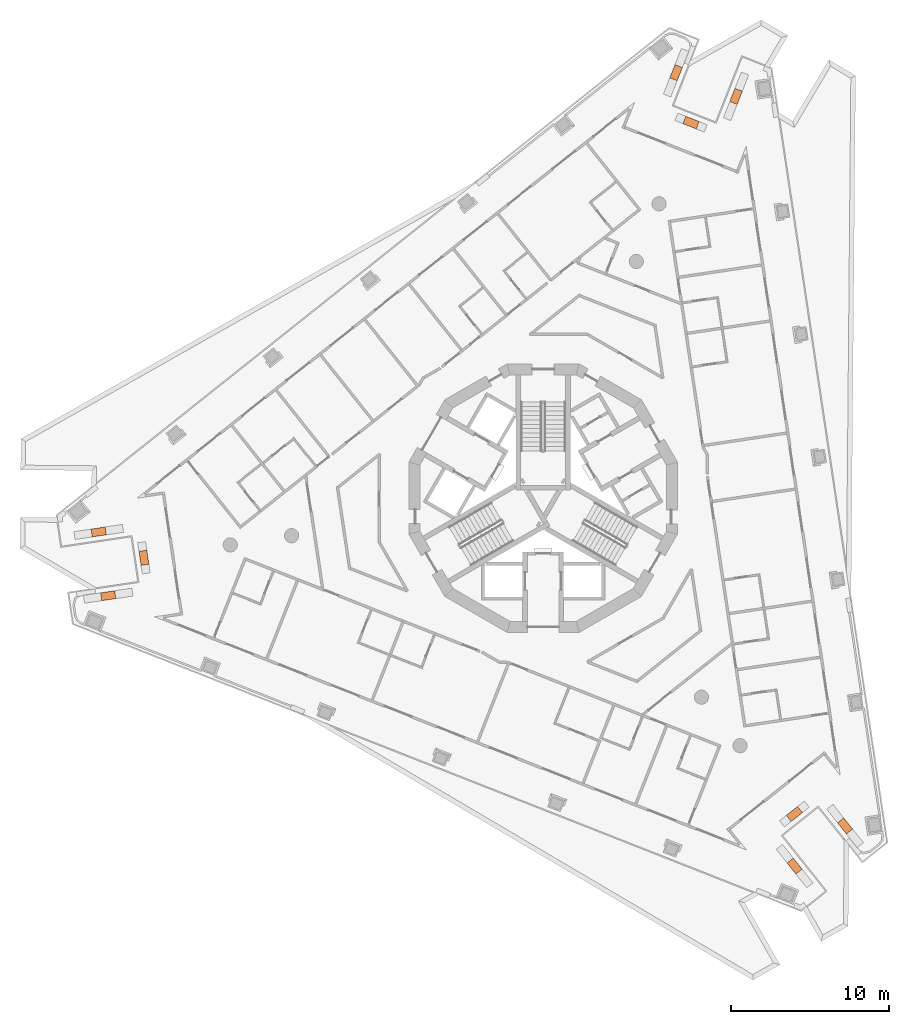
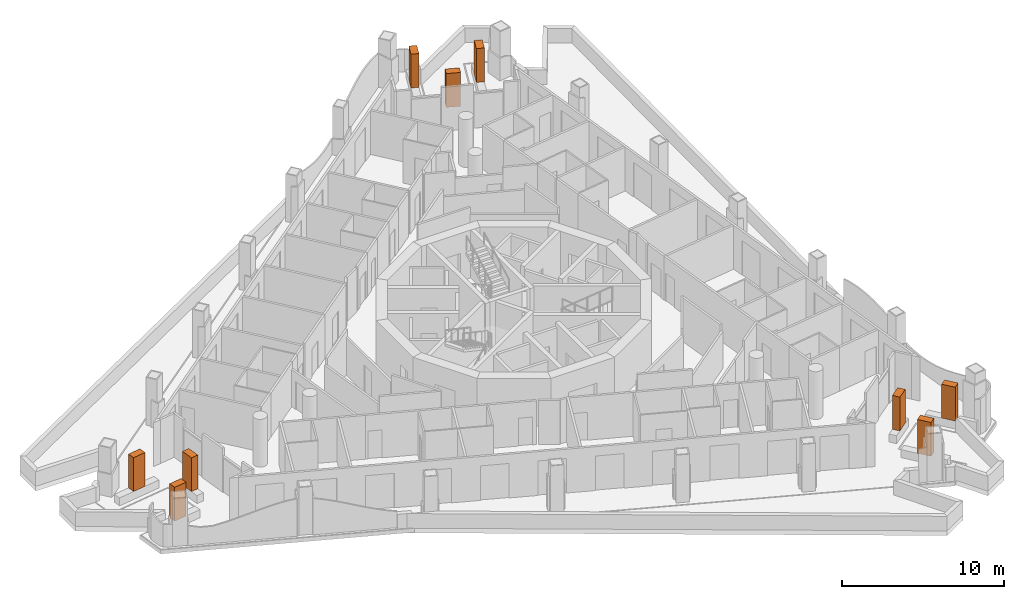
# One storey, part 16 of 16: 9 geographic elements.
"""IFC4 building model written with IfcOpenShell, lengths in metres."""

from ifc_helpers import new_model, si_unit, direction, frame, origin, origin_2d, place, context, subcontext, project, spatial, rectangle, extrude, element, save


model = new_model("IFC4")

# Units and contexts
model_context = context("Model", 3, precision=1e-05, world=origin(), true_north=direction((0.0, 1.0)))
body_context = subcontext(model_context, "Body", "Model", "MODEL_VIEW")
ifc_project = project(units=[si_unit("LENGTHUNIT", "METRE"), si_unit("AREAUNIT", "SQUARE_METRE"), si_unit("VOLUMEUNIT", "CUBIC_METRE"), si_unit("PLANEANGLEUNIT", "RADIAN"), si_unit("MASSUNIT", "GRAM", prefix="KILO")], contexts=[model_context])

# Site, building, storey
site_placement = place(None, origin())
site = spatial("IfcSite", under=ifc_project, at=site_placement, CompositionType="ELEMENT")
building_placement = place(site_placement, origin())
building = spatial("IfcBuilding", under=site, at=building_placement, Name="Trine Commons Tower", CompositionType="ELEMENT")
storey_placement = place(building_placement, frame((0.0, 0.0, 198.0)))
storey = spatial("IfcBuildingStorey", under=building, at=storey_placement, Name="L51", CompositionType="ELEMENT", Elevation=198.0)

# Geographic elements
for number, where, z_axis, x_axis, name in (
    (1, (52.4794921875, 56.324462890625, 0.60009765625), (0.0, 0.0, 1.0), (0.989018700917, 0.147790423361, 0.0), "Tree 1.1"),
    (2, (54.73974609375, 58.724853515625, 0.60009765625), (0.0, 0.0, 1.0), (-0.147812863445, 0.989015347404, 0.0), "Tree 2.1"),
    (3, (51.87646484375, 60.359619140625, 0.60009765625), (0.0, 0.0, 1.0), (-0.989014831433, -0.147816315759, 0.0), "Tree 3.1"),
    (4, (88.412109375, 89.421142578125, 0.60009765625), (0.0, 0.0, 1.0), (-0.366494731175, -0.930420126621, 0.0), "Tree 4.1"),
    (5, (89.360595703125, 86.263671875, 0.60009765625), (0.0, 0.0, 1.0), (0.930416928315, -0.366502850609, 0.0), "Tree 5.1"),
    (6, (92.2080078125, 87.92578125, 0.60009765625), (0.0, 0.0, 1.0), (0.366520713264, 0.930409891794, 0.0), "Tree 6.1"),
    (7, (99.1083984375, 41.75439453125, 0.60009765625), (0.0, 0.0, 1.0), (-0.622516002546, 0.782607070358, 0.0), "Tree 7.1"),
    (8, (95.899658203125, 42.511474609375, 0.60009765625), (0.0, 0.0, 1.0), (-0.782586426516, -0.622541954437, 0.0), "Tree 8.1"),
    (9, (95.915283203125, 39.214599609375, 0.60009765625), (0.0, 0.0, 1.0), (0.622516002546, -0.782607070358, 0.0), "Tree 9.1"),
):
    element("IfcGeographicElement", number, at=place(storey_placement, frame(where, z_axis=z_axis, x_axis=x_axis)), inside=storey, Name=name, ObjectType="TREE Tabebuia rosea", PredefinedType="USERDEFINED", context=body_context, shape_type="SweptSolid", body=[
        extrude(rectangle(XDim=0.89990234375, YDim=0.5, at=origin_2d()), origin(), (0.0, 0.0, 1.0), 2.550048828125),
    ])

save(model, "model.ifc")
